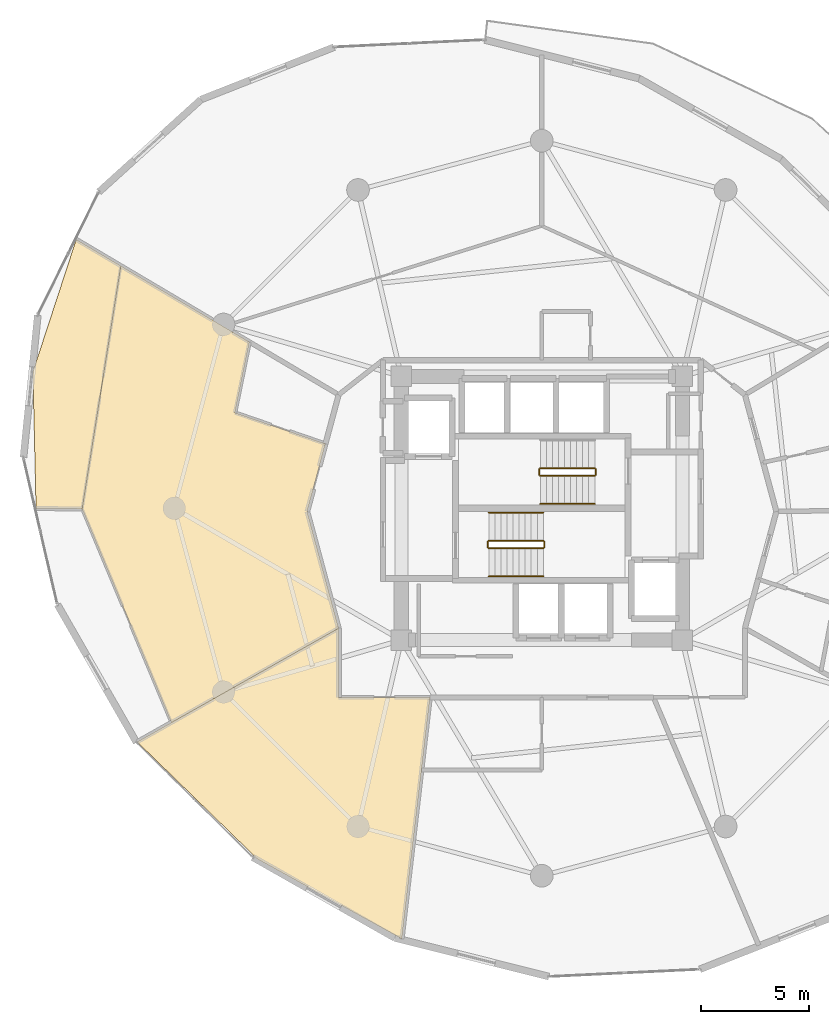
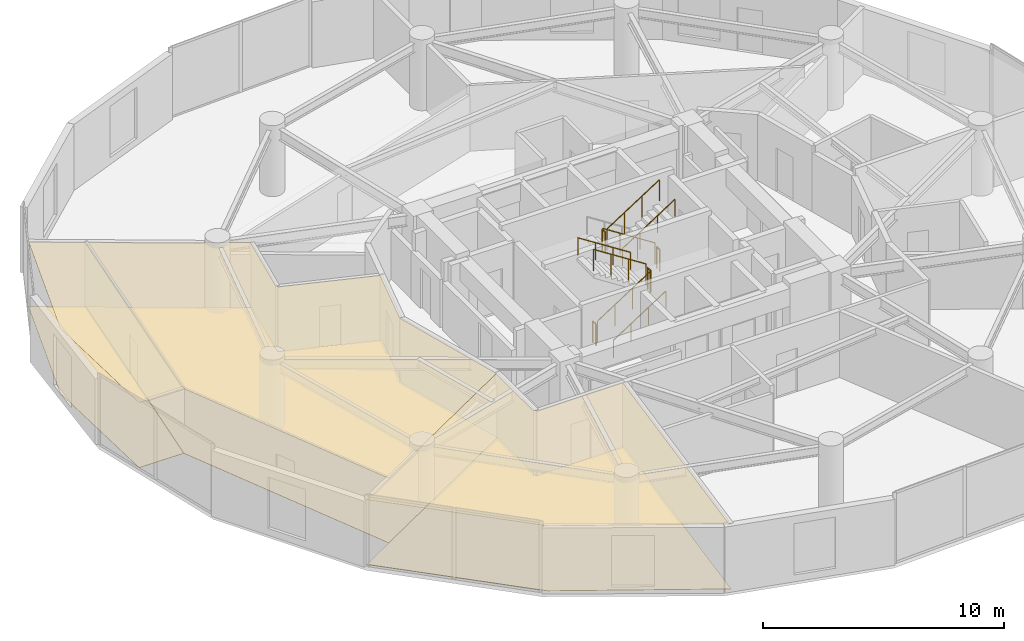
# One storey, part 24 of 25: 11 railings, 6 coverings.
"""IFC4 building model written with IfcOpenShell, lengths in metres."""

from ifc_helpers import new_model, si_unit, direction, frame, origin, origin_2d, place, context, subcontext, project, spatial, polyline, circle, outline, extrude, material, layer, layer_set, type_object, element, save


model = new_model("IFC4")

# Units and contexts
model_context = context("Model", 3, precision=1e-05, world=origin(), true_north=direction((0.0, 1.0)))
body_context = subcontext(model_context, "Body", "Model", "MODEL_VIEW")
ifc_project = project(units=[si_unit("LENGTHUNIT", "METRE"), si_unit("AREAUNIT", "SQUARE_METRE"), si_unit("VOLUMEUNIT", "CUBIC_METRE"), si_unit("PLANEANGLEUNIT", "RADIAN"), si_unit("MASSUNIT", "GRAM", prefix="KILO")], contexts=[model_context])

# Site, building, storey
site_placement = place(None, origin())
site = spatial("IfcSite", under=ifc_project, at=site_placement, CompositionType="ELEMENT")
building_placement = place(site_placement, origin())
building = spatial("IfcBuilding", under=site, at=building_placement, Name="Solvirekh Grand Hotel", CompositionType="ELEMENT")
storey_placement = place(building_placement, frame((0.0, 0.0, 124.199951171875)))
storey = spatial("IfcBuildingStorey", under=building, at=storey_placement, Name="L31", CompositionType="ELEMENT", Elevation=124.199951171875)

# Coverings
ifc_material_1 = material(Name="Acoustic Mineral Ceiling Tile")
ifc_layer_1 = layer(ifc_material_1, 0.02490234375)
ifc_layer_set_1 = layer_set([ifc_layer_1], Name="Acoustic Mineral Ceiling Tile")
covering_type_1 = type_object("IfcCoveringType", Name="Cov_Ceiling_Acoustic", PredefinedType="CEILING", material=ifc_layer_set_1)
covering_1_placement = place(storey_placement, frame((0.0, 0.0, 3.300048828125)))
element("IfcCovering", 1, at=covering_1_placement, inside=storey, type_object=covering_type_1, Name="L31 Executive Suite 3302 Living Room acoustic ceiling", PredefinedType="CEILING", context=body_context, shape_type="SweptSolid", body=[
    extrude(outline(polyline([(-14.19189453125, 4.419921875), (-13.52294921875, 7.69189453125), (-19.470947265625, 11.2119140625), (-21.260986328125, -0.02587890625), (-17.133056640625, -9.9130859375), (-9.39599609375, -5.550048828125), (-10.85009765625, -0.14990234375), (-10.007080078125, 2.98193359375), (-14.19189453125, 4.419921875)])), origin(), (0.0, 0.0, 1.0), 0.01806640625),
])
covering_2_placement = place(storey_placement, frame((0.0, 0.0, 3.300048828125)))
element("IfcCovering", 2, at=covering_2_placement, inside=storey, type_object=covering_type_1, Name="L31 Executive Suite 3302 Master Bedroom acoustic ceiling", PredefinedType="CEILING", context=body_context, shape_type="SweptSolid", body=[
    extrude(outline(polyline([(-21.533935546875, 12.43310546875), (-23.5390625, 6.306884765625), (-23.39306640625, 0.0), (-21.260986328125, -0.02587890625), (-19.470947265625, 11.2119140625), (-21.533935546875, 12.43310546875)])), origin(), (0.0, 0.0, 1.0), 0.01806640625),
])
covering_3_placement = place(storey_placement, frame((0.0, 0.0, 3.300048828125)))
element("IfcCovering", 3, at=covering_3_placement, inside=storey, type_object=covering_type_1, Name="L31 L31 Wellness Hydro Lounge acoustic ceiling", PredefinedType="CEILING", context=body_context, shape_type="SweptSolid", body=[
    extrude(outline(polyline([(-18.718017578125, -10.806884765625), (-13.14306640625, -16.23095703125), (-6.471923828125, -19.9189453125), (-5.16796875, -8.75), (-9.39599609375, -8.75), (-9.39599609375, -5.550048828125), (-18.718017578125, -10.806884765625)])), origin(), (0.0, 0.0, 1.0), 0.01806640625),
])
ifc_material_2 = material(Name="Porcelain Stoneware Flooring", Category="masonry")
ifc_layer_2 = layer(ifc_material_2, 0.030029296875)
ifc_layer_set_2 = layer_set([ifc_layer_2], Name="Porcelain Stoneware Flooring")
covering_type_2 = type_object("IfcCoveringType", Name="Cov_Floor_Stone", PredefinedType="FLOORING", material=ifc_layer_set_2)
covering_4_placement = place(storey_placement, origin())
element("IfcCovering", 4, at=covering_4_placement, inside=storey, type_object=covering_type_2, Name="L31 Executive Suite 3302 Living Room polished granite flooring", PredefinedType="FLOORING", context=body_context, shape_type="SweptSolid", body=[
    extrude(outline(polyline([(-14.19189453125, 4.419921875), (-13.52294921875, 7.69189453125), (-19.470947265625, 11.2119140625), (-21.260986328125, -0.02587890625), (-17.133056640625, -9.9130859375), (-9.39599609375, -5.550048828125), (-10.85009765625, -0.14990234375), (-10.007080078125, 2.98193359375), (-14.19189453125, 4.419921875)])), origin(), (0.0, 0.0, 1.0), 0.02001953125),
])
covering_5_placement = place(storey_placement, origin())
element("IfcCovering", 5, at=covering_5_placement, inside=storey, type_object=covering_type_2, Name="L31 Executive Suite 3302 Master Bedroom polished granite flooring", PredefinedType="FLOORING", context=body_context, shape_type="SweptSolid", body=[
    extrude(outline(polyline([(-21.533935546875, 12.43310546875), (-23.5390625, 6.306884765625), (-23.39306640625, 0.0), (-21.260986328125, -0.02587890625), (-19.470947265625, 11.2119140625), (-21.533935546875, 12.43310546875)])), origin(), (0.0, 0.0, 1.0), 0.02001953125),
])
covering_6_placement = place(storey_placement, origin())
element("IfcCovering", 6, at=covering_6_placement, inside=storey, type_object=covering_type_2, Name="L31 L31 Wellness Hydro Lounge polished granite flooring", PredefinedType="FLOORING", context=body_context, shape_type="SweptSolid", body=[
    extrude(outline(polyline([(-18.718017578125, -10.806884765625), (-13.14306640625, -16.23095703125), (-6.471923828125, -19.9189453125), (-5.16796875, -8.75), (-9.39599609375, -8.75), (-9.39599609375, -5.550048828125), (-18.718017578125, -10.806884765625)])), origin(), (0.0, 0.0, 1.0), 0.02001953125),
])

# Railings
ifc_material_3 = material(Name="Steel S355", Category="steel")
railing_type_1 = type_object("IfcRailingType", Name="Guard_Stair_1100", PredefinedType="GUARDRAIL", material=ifc_material_3)
railing_1_placement = place(storey_placement, frame((-2.449951171875, -1.85009765625, 0.179931640625)))
element("IfcRailing", 7, at=railing_1_placement, inside=storey, type_object=railing_type_1, Name="L31 ST-1 stair guard 1", PredefinedType="GUARDRAIL", context=body_context, shape_type="SweptSolid", body=[
    extrude(circle(Radius=0.02392578125, at=origin_2d()), frame((0.0, 0.0, 1.076171875), z_axis=(0.841162588446, 0.0, 0.540782303519), x_axis=(0.0, 1.0, 0.0)), (0.0, 0.0, 1.0), 2.995849609375),
    extrude(circle(Radius=0.02099609375, at=origin_2d()), origin(), (0.0, 0.0, 1.0), 1.052001953125),
    extrude(circle(Radius=0.02099609375, at=origin_2d()), frame((0.840087890625, 0.0, 0.5400390625)), (0.0, 0.0, 1.0), 1.052001953125),
    extrude(circle(Radius=0.02099609375, at=origin_2d()), frame((1.679931640625, 0.0, 1.080078125)), (0.0, 0.0, 1.0), 1.052001953125),
    extrude(circle(Radius=0.02099609375, at=origin_2d()), frame((2.52001953125, 0.0, 1.6201171875)), (0.0, 0.0, 1.0), 1.052001953125),
])
railing_2_placement = place(storey_placement, frame((0.1201171875, -1.800048828125, 1.800048828125)))
element("IfcRailing", 8, at=railing_2_placement, inside=storey, type_object=railing_type_1, Name="L31 ST-1 stair guard 2", PredefinedType="GUARDRAIL", context=body_context, shape_type="SweptSolid", body=[
    extrude(circle(Radius=0.02392578125, at=origin_2d()), frame((0.0, 0.0, 1.076171875), z_axis=(0.0, 1.0, 0.0), x_axis=(-1.0, 0.0, 0.0)), (0.0, 0.0, 1.0), 0.25),
    extrude(circle(Radius=0.02099609375, at=origin_2d()), origin(), (0.0, 0.0, 1.0), 1.052001953125),
    extrude(circle(Radius=0.02099609375, at=origin_2d()), frame((0.0, 0.25, 0.0)), (0.0, 0.0, 1.0), 1.052001953125),
])
railing_3_placement = place(storey_placement, frame((0.070068359375, -1.5, 1.97998046875)))
element("IfcRailing", 9, at=railing_3_placement, inside=storey, type_object=railing_type_1, Name="L31 ST-1 stair guard 3", PredefinedType="GUARDRAIL", context=body_context, shape_type="SweptSolid", body=[
    extrude(circle(Radius=0.02392578125, at=origin_2d()), frame((0.0, 0.0, 1.076171875), z_axis=(-0.841162588446, 0.0, 0.540782303519), x_axis=(0.0, -1.0, 0.0)), (0.0, 0.0, 1.0), 2.995849609375),
    extrude(circle(Radius=0.02099609375, at=origin_2d()), origin(), (0.0, 0.0, 1.0), 1.052001953125),
    extrude(circle(Radius=0.02099609375, at=origin_2d()), frame((-0.840087890625, 0.0, 0.5400390625)), (0.0, 0.0, 1.0), 1.052001953125),
    extrude(circle(Radius=0.02099609375, at=origin_2d()), frame((-1.679931640625, 0.0, 1.080078125)), (0.0, 0.0, 1.0), 1.052001953125),
    extrude(circle(Radius=0.02099609375, at=origin_2d()), frame((-2.52001953125, 0.0, 1.6201171875)), (0.0, 0.0, 1.0), 1.052001953125),
])
railing_4_placement = place(storey_placement, frame((-2.5, -1.800048828125, 0.0)))
element("IfcRailing", 10, at=railing_4_placement, inside=storey, type_object=railing_type_1, Name="L31 ST-1 stair guard 4", PredefinedType="GUARDRAIL", context=body_context, shape_type="SweptSolid", body=[
    extrude(circle(Radius=0.02392578125, at=origin_2d()), frame((0.0, 0.0, 1.076171875), z_axis=(0.0, 1.0, 0.0), x_axis=(-1.0, 0.0, 0.0)), (0.0, 0.0, 1.0), 0.25),
    extrude(circle(Radius=0.02099609375, at=origin_2d()), origin(), (0.0, 0.0, 1.0), 1.052001953125),
    extrude(circle(Radius=0.02099609375, at=origin_2d()), frame((0.0, 0.25, 0.0)), (0.0, 0.0, 1.0), 1.052001953125),
])
railing_5_placement = place(storey_placement, frame((2.449951171875, 1.85009765625, 0.179931640625)))
element("IfcRailing", 11, at=railing_5_placement, inside=storey, type_object=railing_type_1, Name="L31 ST-2 stair guard 1", PredefinedType="GUARDRAIL", context=body_context, shape_type="SweptSolid", body=[
    extrude(circle(Radius=0.02392578125, at=origin_2d()), frame((0.0, 0.0, 1.076171875), z_axis=(-0.841162588446, 0.0, 0.540782303519), x_axis=(0.0, -1.0, 0.0)), (0.0, 0.0, 1.0), 2.995849609375),
    extrude(circle(Radius=0.02099609375, at=origin_2d()), origin(), (0.0, 0.0, 1.0), 1.052001953125),
    extrude(circle(Radius=0.02099609375, at=origin_2d()), frame((-0.840087890625, 0.0, 0.5400390625)), (0.0, 0.0, 1.0), 1.052001953125),
    extrude(circle(Radius=0.02099609375, at=origin_2d()), frame((-1.679931640625, 0.0, 1.080078125)), (0.0, 0.0, 1.0), 1.052001953125),
    extrude(circle(Radius=0.02099609375, at=origin_2d()), frame((-2.52001953125, 0.0, 1.6201171875)), (0.0, 0.0, 1.0), 1.052001953125),
])
railing_6_placement = place(storey_placement, frame((-0.1201171875, 1.800048828125, 1.800048828125)))
element("IfcRailing", 12, at=railing_6_placement, inside=storey, type_object=railing_type_1, Name="L31 ST-2 stair guard 2", PredefinedType="GUARDRAIL", context=body_context, shape_type="SweptSolid", body=[
    extrude(circle(Radius=0.02392578125, at=origin_2d()), frame((0.0, 0.0, 1.076171875), z_axis=(0.0, -1.0, 0.0), x_axis=(1.0, 0.0, 0.0)), (0.0, 0.0, 1.0), 0.25),
    extrude(circle(Radius=0.02099609375, at=origin_2d()), origin(), (0.0, 0.0, 1.0), 1.052001953125),
    extrude(circle(Radius=0.02099609375, at=origin_2d()), frame((0.0, -0.25, 0.0)), (0.0, 0.0, 1.0), 1.052001953125),
])
railing_7_placement = place(storey_placement, frame((-0.070068359375, 1.5, 1.97998046875)))
element("IfcRailing", 13, at=railing_7_placement, inside=storey, type_object=railing_type_1, Name="L31 ST-2 stair guard 3", PredefinedType="GUARDRAIL", context=body_context, shape_type="SweptSolid", body=[
    extrude(circle(Radius=0.02392578125, at=origin_2d()), frame((0.0, 0.0, 1.076171875), z_axis=(0.841162588446, 0.0, 0.540782303519), x_axis=(0.0, 1.0, 0.0)), (0.0, 0.0, 1.0), 2.995849609375),
    extrude(circle(Radius=0.02099609375, at=origin_2d()), origin(), (0.0, 0.0, 1.0), 1.052001953125),
    extrude(circle(Radius=0.02099609375, at=origin_2d()), frame((0.840087890625, 0.0, 0.5400390625)), (0.0, 0.0, 1.0), 1.052001953125),
    extrude(circle(Radius=0.02099609375, at=origin_2d()), frame((1.679931640625, 0.0, 1.080078125)), (0.0, 0.0, 1.0), 1.052001953125),
    extrude(circle(Radius=0.02099609375, at=origin_2d()), frame((2.52001953125, 0.0, 1.6201171875)), (0.0, 0.0, 1.0), 1.052001953125),
])
railing_8_placement = place(storey_placement, frame((2.5, 1.800048828125, 0.0)))
element("IfcRailing", 14, at=railing_8_placement, inside=storey, type_object=railing_type_1, Name="L31 ST-2 stair guard 4", PredefinedType="GUARDRAIL", context=body_context, shape_type="SweptSolid", body=[
    extrude(circle(Radius=0.02392578125, at=origin_2d()), frame((0.0, 0.0, 1.076171875), z_axis=(0.0, -1.0, 0.0), x_axis=(1.0, 0.0, 0.0)), (0.0, 0.0, 1.0), 0.25),
    extrude(circle(Radius=0.02099609375, at=origin_2d()), origin(), (0.0, 0.0, 1.0), 1.052001953125),
    extrude(circle(Radius=0.02099609375, at=origin_2d()), frame((0.0, -0.25, 0.0)), (0.0, 0.0, 1.0), 1.052001953125),
])
ifc_material_4 = material(Name="Anodized Bronze Aluminium 6063-T6", Category="aluminium")
railing_type_2 = type_object("IfcRailingType", Name="Handrail_Wall_900", PredefinedType="HANDRAIL", material=ifc_material_4)
railing_9_placement = place(storey_placement, frame((-2.449951171875, -3.14990234375, 0.179931640625)))
element("IfcRailing", 15, at=railing_9_placement, inside=storey, type_object=railing_type_2, Name="L31 ST-1 stair handrail 1", PredefinedType="HANDRAIL", context=body_context, shape_type="SweptSolid", body=[
    extrude(circle(Radius=0.02392578125, at=origin_2d()), frame((0.0, 0.0, 0.8759765625), z_axis=(0.841162588446, 0.0, 0.540782303519), x_axis=(0.0, 1.0, 0.0)), (0.0, 0.0, 1.0), 2.995849609375),
    extrude(circle(Radius=0.02099609375, at=origin_2d()), origin(), (0.0, 0.0, 1.0), 0.851806640625),
    extrude(circle(Radius=0.02099609375, at=origin_2d()), frame((0.840087890625, 0.0, 0.5400390625)), (0.0, 0.0, 1.0), 0.851806640625),
    extrude(circle(Radius=0.02099609375, at=origin_2d()), frame((1.679931640625, 0.0, 1.080078125)), (0.0, 0.0, 1.0), 0.851806640625),
    extrude(circle(Radius=0.02099609375, at=origin_2d()), frame((2.52001953125, 0.0, 1.6201171875)), (0.0, 0.0, 1.0), 0.851806640625),
])
railing_10_placement = place(storey_placement, frame((0.070068359375, -0.199951171875, 1.97998046875)))
element("IfcRailing", 16, at=railing_10_placement, inside=storey, type_object=railing_type_2, Name="L31 ST-1 stair handrail 2", PredefinedType="HANDRAIL", context=body_context, shape_type="SweptSolid", body=[
    extrude(circle(Radius=0.02392578125, at=origin_2d()), frame((0.0, 0.0, 0.8759765625), z_axis=(-0.841162588446, 0.0, 0.540782303519), x_axis=(0.0, -1.0, 0.0)), (0.0, 0.0, 1.0), 2.995849609375),
    extrude(circle(Radius=0.02099609375, at=origin_2d()), origin(), (0.0, 0.0, 1.0), 0.851806640625),
    extrude(circle(Radius=0.02099609375, at=origin_2d()), frame((-0.840087890625, 0.0, 0.5400390625)), (0.0, 0.0, 1.0), 0.851806640625),
    extrude(circle(Radius=0.02099609375, at=origin_2d()), frame((-1.679931640625, 0.0, 1.080078125)), (0.0, 0.0, 1.0), 0.851806640625),
    extrude(circle(Radius=0.02099609375, at=origin_2d()), frame((-2.52001953125, 0.0, 1.6201171875)), (0.0, 0.0, 1.0), 0.851806640625),
])
railing_11_placement = place(storey_placement, frame((-0.070068359375, 0.199951171875, 1.97998046875)))
element("IfcRailing", 17, at=railing_11_placement, inside=storey, type_object=railing_type_2, Name="L31 ST-2 stair handrail 2", PredefinedType="HANDRAIL", context=body_context, shape_type="SweptSolid", body=[
    extrude(circle(Radius=0.02392578125, at=origin_2d()), frame((0.0, 0.0, 0.8759765625), z_axis=(0.841162588446, 0.0, 0.540782303519), x_axis=(0.0, 1.0, 0.0)), (0.0, 0.0, 1.0), 2.995849609375),
    extrude(circle(Radius=0.02099609375, at=origin_2d()), origin(), (0.0, 0.0, 1.0), 0.851806640625),
    extrude(circle(Radius=0.02099609375, at=origin_2d()), frame((0.840087890625, 0.0, 0.5400390625)), (0.0, 0.0, 1.0), 0.851806640625),
    extrude(circle(Radius=0.02099609375, at=origin_2d()), frame((1.679931640625, 0.0, 1.080078125)), (0.0, 0.0, 1.0), 0.851806640625),
    extrude(circle(Radius=0.02099609375, at=origin_2d()), frame((2.52001953125, 0.0, 1.6201171875)), (0.0, 0.0, 1.0), 0.851806640625),
])

save(model, "model.ifc")
